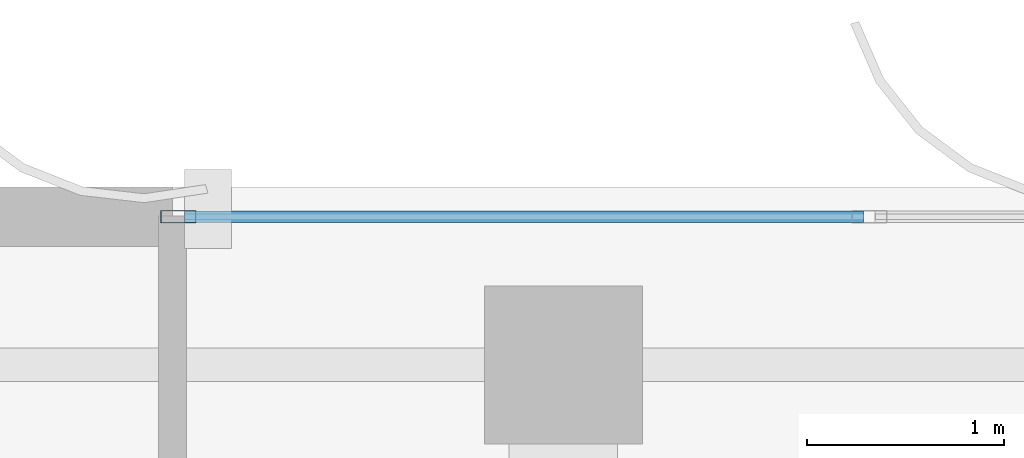
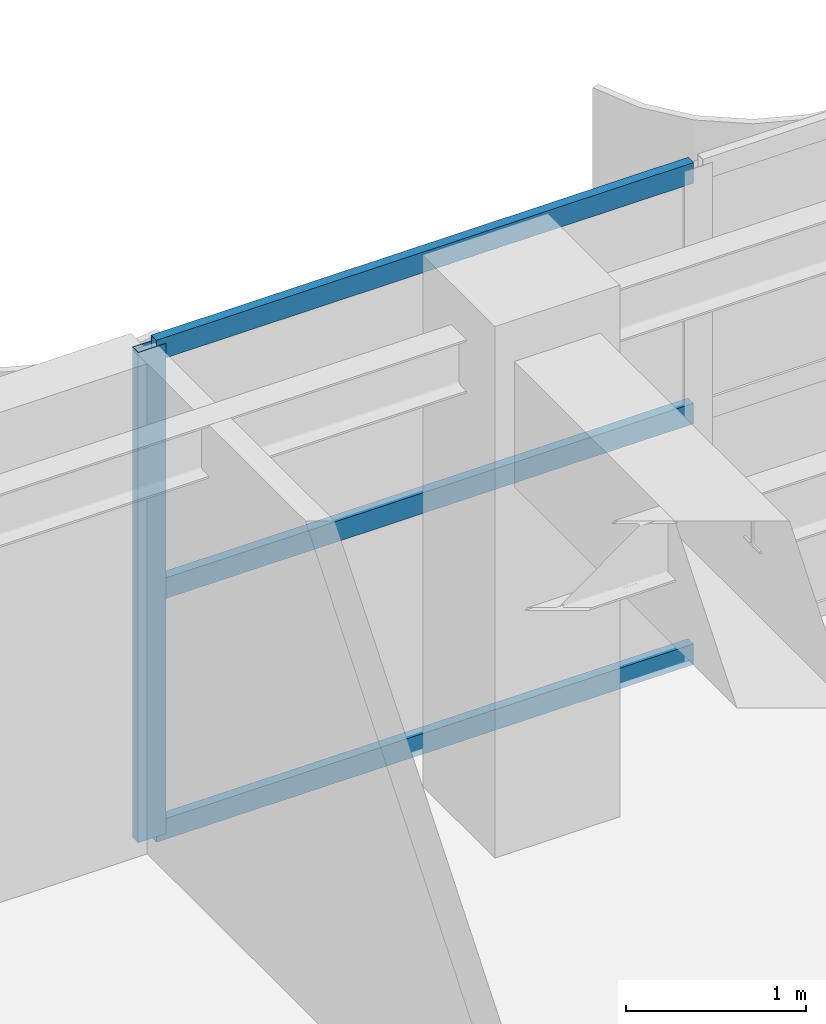
# One storey, part 13 of 22: 4 members, 1 element without a shape of its own.
"""IFC4 building model written with IfcOpenShell, lengths in metres."""

from ifc_helpers import new_model, si_unit, direction, frame, origin, origin_2d, place, context, subcontext, project, spatial, hollow_rectangle, extrude, source, transform, mapped, material, layer, layer_set, material_profile, profile_set, type_object, element, aggregate, save


model = new_model("IFC4")

# Units and contexts
model_context = context("Model", 3, precision=1e-05, world=origin(), true_north=direction((0.0, 1.0)))
body_context = subcontext(model_context, "Body", "Model", "MODEL_VIEW")
ifc_project = project(units=[si_unit("LENGTHUNIT", "METRE"), si_unit("AREAUNIT", "SQUARE_METRE"), si_unit("VOLUMEUNIT", "CUBIC_METRE"), si_unit("PLANEANGLEUNIT", "RADIAN"), si_unit("MASSUNIT", "GRAM", prefix="KILO")], contexts=[model_context])

# Site, building, storey
site_placement = place(None, origin())
site = spatial("IfcSite", under=ifc_project, at=site_placement, CompositionType="ELEMENT")
building_placement = place(site_placement, origin())
building = spatial("IfcBuilding", under=site, at=building_placement, Name="Khoralis Quay Care Tower", CompositionType="ELEMENT")
storey_placement = place(building_placement, frame((0.0, 0.0, 278.10009765625)))
storey = spatial("IfcBuildingStorey", under=building, at=storey_placement, Name="L73", CompositionType="ELEMENT", Elevation=278.10009765625)

# Curtain wall, members
ifc_material = material(Name="Pale anodised aluminium", Category="aluminium")
ifc_layer = layer(ifc_material, 0.159912109375)
ifc_layer_set = layer_set([ifc_layer], Name="Pale anodised aluminium")
curtain_wall_type = type_object("IfcCurtainWallType", Name="CW-SYS-Z3", PredefinedType="NOTDEFINED", material=ifc_layer_set)
curtain_wall_placement = place(storey_placement, origin())
curtain_wall = element("IfcCurtainWall", 1, at=curtain_wall_placement, inside=storey, type_object=curtain_wall_type, Name="L73 Unitised Curtain Wall CW-L73-P1-E10", PredefinedType="NOTDEFINED")
ifc_material_profile_1 = material_profile(ifc_material, hollow_rectangle(XDim=0.06494140625, YDim=0.179931640625, WallThickness=0.00390625, at=origin_2d()), Name="Pale anodised aluminium")
ifc_profile_set_1 = profile_set([ifc_material_profile_1], Name="Pale anodised aluminium")
member_type_1 = type_object("IfcMemberType", Name="CW-MUL-180", PredefinedType="MULLION", material=ifc_profile_set_1)
shared_shape_1 = source(origin(), body_context, "Body", "SweptSolid", [
    extrude(hollow_rectangle(XDim=0.06494140625, YDim=0.179931640625, WallThickness=0.00390625, at=origin_2d()), origin(), (0.0, 0.0, 1.0), 3.31982421875),
])
member_1_placement = place(storey_placement, frame((15.14990234375, 41.85009765625, 0.0), z_axis=(0.0, 0.0, 1.0), x_axis=(0.0, -1.0, 0.0)))
member_1 = element("IfcMember", 2, at=member_1_placement, type_object=member_type_1, Name="CW3 mullion 5", PredefinedType="MULLION", context=body_context, shape_type="MappedRepresentation", body=[
    mapped(shared_shape_1, transform((0.0, 0.0, 0.0), scale=1.0)),
])
ifc_material_profile_2 = material_profile(ifc_material, hollow_rectangle(XDim=0.06005859375, YDim=0.139892578125, WallThickness=0.00390625, at=origin_2d()), Name="Pale anodised aluminium")
ifc_profile_set_2 = profile_set([ifc_material_profile_2], Name="Pale anodised aluminium")
member_type_2 = type_object("IfcMemberType", Name="CW-TRN-140", PredefinedType="USERDEFINED", material=ifc_profile_set_2)
shared_shape_2 = source(origin(), body_context, "Body", "SweptSolid", [
    extrude(hollow_rectangle(XDim=0.06005859375, YDim=0.139892578125, WallThickness=0.00390625, at=origin_2d()), origin(), (0.0, 0.0, 1.0), 3.440185546875),
])
member_2_placement = place(storey_placement, frame((18.6201171875, 41.85009765625, 0.02978515625), z_axis=(-1.0, 0.0, 0.0), x_axis=(0.0, -1.0, 0.0)))
member_2 = element("IfcMember", 3, at=member_2_placement, type_object=member_type_2, Name="CW3 transom 4.1", ObjectType="TRANSOM", PredefinedType="USERDEFINED", context=body_context, shape_type="MappedRepresentation", body=[
    mapped(shared_shape_2, transform((0.0, 0.0, 0.0), scale=1.0)),
])
member_3_placement = place(storey_placement, frame((18.6201171875, 41.85009765625, 1.659912109375), z_axis=(-1.0, 0.0, 0.0), x_axis=(0.0, -1.0, 0.0)))
member_3 = element("IfcMember", 4, at=member_3_placement, type_object=member_type_2, Name="CW3 transom 4.2", ObjectType="TRANSOM", PredefinedType="USERDEFINED", context=body_context, shape_type="MappedRepresentation", body=[
    mapped(shared_shape_2, transform((0.0, 0.0, 0.0), scale=1.0)),
])
member_4_placement = place(storey_placement, frame((18.6201171875, 41.85009765625, 3.289794921875), z_axis=(-1.0, 0.0, 0.0), x_axis=(0.0, -1.0, 0.0)))
member_4 = element("IfcMember", 5, at=member_4_placement, type_object=member_type_2, Name="CW3 transom 4.3", ObjectType="TRANSOM", PredefinedType="USERDEFINED", context=body_context, shape_type="MappedRepresentation", body=[
    mapped(shared_shape_2, transform((0.0, 0.0, 0.0), scale=1.0)),
])
aggregate(curtain_wall, [member_1, member_2, member_3, member_4])

save(model, "model.ifc")
